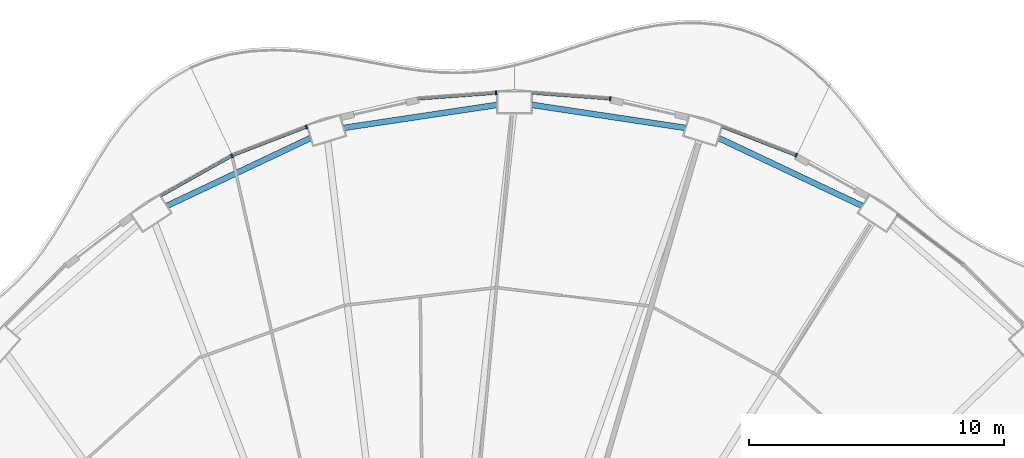
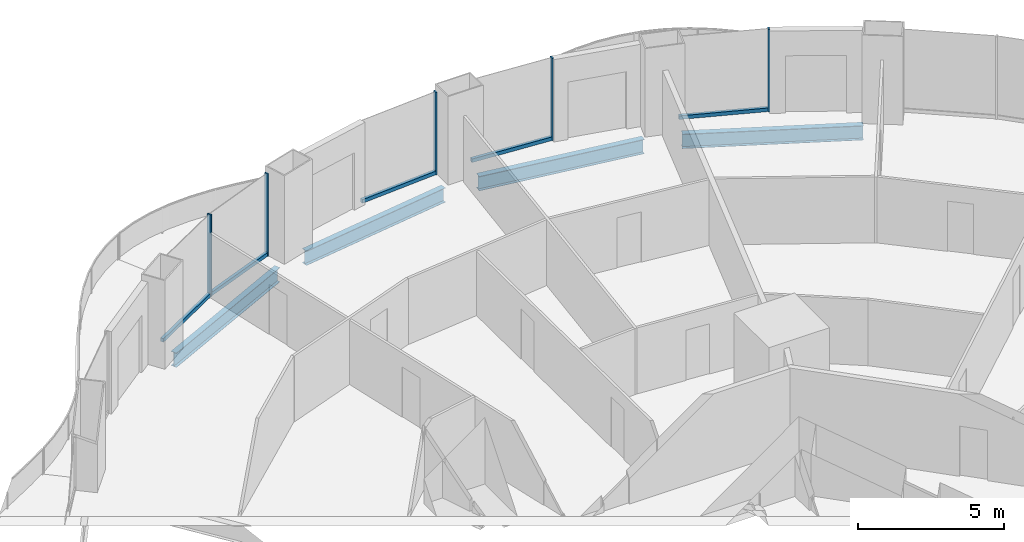
# One storey, part 11 of 22: 10 members, 4 beams, 5 elements without a shape of their own.
"""IFC4 building model written with IfcOpenShell, lengths in metres."""

from ifc_helpers import new_model, si_unit, direction, frame, origin, origin_2d, place, context, subcontext, project, spatial, rectangle, i_section, extrude, material, layer, layer_set, material_profile, profile_set, type_object, element, aggregate, save


model = new_model("IFC4")

# Units and contexts
model_context = context("Model", 3, precision=1e-05, world=origin(), true_north=direction((0.0, 1.0)))
body_context = subcontext(model_context, "Body", "Model", "MODEL_VIEW")
ifc_project = project(units=[si_unit("LENGTHUNIT", "METRE"), si_unit("AREAUNIT", "SQUARE_METRE"), si_unit("VOLUMEUNIT", "CUBIC_METRE"), si_unit("PLANEANGLEUNIT", "RADIAN"), si_unit("MASSUNIT", "GRAM", prefix="KILO")], contexts=[model_context])

# Site, building, storey
site_placement = place(None, origin())
site = spatial("IfcSite", under=ifc_project, at=site_placement, CompositionType="ELEMENT")
building_placement = place(site_placement, origin())
building = spatial("IfcBuilding", under=site, at=building_placement, Name="Nagisa Residences", CompositionType="ELEMENT")
storey_placement = place(building_placement, frame((0.0, 0.0, 30.699951171875)))
storey = spatial("IfcBuildingStorey", under=building, at=storey_placement, Name="L06", CompositionType="ELEMENT", Elevation=30.699951171875)

# Curtain wall, member
ifc_material_1 = material(Name="Concrete-coloured aluminium curtain wall system", Category="concrete")
ifc_layer = layer(ifc_material_1, 0.159912109375)
ifc_layer_set = layer_set([ifc_layer], Name="CW1 CURTAIN WALL")
curtain_wall_type = type_object("IfcCurtainWallType", Name="CW1 CURTAIN WALL", PredefinedType="NOTDEFINED", material=ifc_layer_set)
curtain_wall_1_placement = place(storey_placement, origin())
curtain_wall_1 = element("IfcCurtainWall", 1, at=curtain_wall_1_placement, inside=storey, type_object=curtain_wall_type, Name="cw:CW1:L06:09", PredefinedType="NOTDEFINED")
ifc_material_2 = material(Name="Concrete-coloured aluminium", Category="concrete")
ifc_material_profile_1 = material_profile(ifc_material_2, rectangle(XDim=0.159912109375, YDim=0.06005859375, at=origin_2d()), Name="CW1 MULLION 160x60")
ifc_profile_set_1 = profile_set([ifc_material_profile_1], Name="Concrete-coloured aluminium")
member_type_1 = type_object("IfcMemberType", Name="CW1 MULLION 160x60", PredefinedType="MULLION", material=ifc_profile_set_1)
member_1_placement = place(storey_placement, frame((14.64111328125, 30.42431640625, 0.0), z_axis=(0.0, 0.0, 1.0), x_axis=(-0.360327770268, -0.932825759707, 0.0)))
member_1 = element("IfcMember", 2, at=member_1_placement, type_object=member_type_1, Name="CW1 mullion", PredefinedType="MULLION", context=body_context, shape_type="SweptSolid", body=[
    extrude(rectangle(XDim=0.159912109375, YDim=0.06005859375, at=origin_2d()), origin(), (0.0, 0.0, 1.0), 3.43994140625),
])

curtain_wall_2_placement = place(storey_placement, origin())
curtain_wall_2 = element("IfcCurtainWall", 3, at=curtain_wall_2_placement, inside=storey, type_object=curtain_wall_type, Name="cw:CW1:L06:11", PredefinedType="NOTDEFINED")
member_2_placement = place(storey_placement, frame((7.349365234375, 32.64013671875, 0.0), z_axis=(0.0, 0.0, 1.0), x_axis=(-0.074377355493, -0.997230168512, 0.0)))
member_2 = element("IfcMember", 4, at=member_2_placement, type_object=member_type_1, Name="CW1 mullion", PredefinedType="MULLION", context=body_context, shape_type="SweptSolid", body=[
    extrude(rectangle(XDim=0.159912109375, YDim=0.06005859375, at=origin_2d()), origin(), (0.0, 0.0, 1.0), 3.43994140625),
])

curtain_wall_3_placement = place(storey_placement, origin())
curtain_wall_3 = element("IfcCurtainWall", 5, at=curtain_wall_3_placement, inside=storey, type_object=curtain_wall_type, Name="cw:CW1:L06:12", PredefinedType="NOTDEFINED")
member_3_placement = place(storey_placement, frame((2.8779296875, 32.865966796875, 0.0), z_axis=(0.0, 0.0, 1.0), x_axis=(0.074377355493, -0.997230168512, 0.0)))
member_3 = element("IfcMember", 6, at=member_3_placement, type_object=member_type_1, Name="CW1 mullion", PredefinedType="MULLION", context=body_context, shape_type="SweptSolid", body=[
    extrude(rectangle(XDim=0.159912109375, YDim=0.06005859375, at=origin_2d()), origin(), (0.0, 0.0, 1.0), 3.43994140625),
])

curtain_wall_4_placement = place(storey_placement, origin())
curtain_wall_4 = element("IfcCurtainWall", 7, at=curtain_wall_4_placement, inside=storey, type_object=curtain_wall_type, Name="cw:CW1:L06:14", PredefinedType="NOTDEFINED")
member_4_placement = place(storey_placement, frame((-4.557861328125, 31.537841796875, 0.0), z_axis=(0.0, 0.0, 1.0), x_axis=(0.360327770268, -0.932825759707, 0.0)))
member_4 = element("IfcMember", 8, at=member_4_placement, type_object=member_type_1, Name="CW1 mullion", PredefinedType="MULLION", context=body_context, shape_type="SweptSolid", body=[
    extrude(rectangle(XDim=0.159912109375, YDim=0.06005859375, at=origin_2d()), origin(), (0.0, 0.0, 1.0), 3.43994140625),
])

curtain_wall_5_placement = place(storey_placement, origin())
curtain_wall_5 = element("IfcCurtainWall", 9, at=curtain_wall_5_placement, inside=storey, type_object=curtain_wall_type, Name="cw:CW1:L06:15", PredefinedType="NOTDEFINED")
member_5_placement = place(storey_placement, frame((-7.48486328125, 30.403564453125, 0.0), z_axis=(0.0, 0.0, 1.0), x_axis=(0.489376918501, -0.872072377523, 0.0)))
member_5 = element("IfcMember", 10, at=member_5_placement, type_object=member_type_1, Name="CW1 mullion", PredefinedType="MULLION", context=body_context, shape_type="SweptSolid", body=[
    extrude(rectangle(XDim=0.159912109375, YDim=0.06005859375, at=origin_2d()), origin(), (0.0, 0.0, 1.0), 3.43994140625),
])

# Member
ifc_material_3 = material(Name="Concrete-coloured aluminium", Category="concrete")
ifc_material_profile_2 = material_profile(ifc_material_3, rectangle(XDim=0.1201171875, YDim=0.14990234375, at=origin_2d()), Name="CW1 TRANSOM 120x150")
ifc_profile_set_2 = profile_set([ifc_material_profile_2], Name="Concrete-coloured aluminium")
member_type_2 = type_object("IfcMemberType", Name="CW1 TRANSOM 120x150", PredefinedType="USERDEFINED", material=ifc_profile_set_2)
member_6_placement = place(storey_placement, frame((14.6689453125, 30.413330078125, 0.074951171875), z_axis=(-0.932825366452, 0.360328788337, 0.0), x_axis=(-0.360328788337, -0.932825366452, 0.0)))
member_6 = element("IfcMember", 11, at=member_6_placement, type_object=member_type_2, Name="CW1 transom", ObjectType="TRANSOM", PredefinedType="USERDEFINED", context=body_context, shape_type="SweptSolid", body=[
    extrude(rectangle(XDim=0.1201171875, YDim=0.14990234375, at=origin_2d()), origin(), (0.0, 0.0, 1.0), 3.150634765625),
])

aggregate(curtain_wall_1, [member_1, member_6])

member_7_placement = place(storey_placement, frame((7.37939453125, 32.637939453125, 0.074951171875), z_axis=(-0.997231270995, 0.07436257224, 0.0), x_axis=(-0.07436257224, -0.997231270995, 0.0)))
member_7 = element("IfcMember", 12, at=member_7_placement, type_object=member_type_2, Name="CW1 transom", ObjectType="TRANSOM", PredefinedType="USERDEFINED", context=body_context, shape_type="SweptSolid", body=[
    extrude(rectangle(XDim=0.1201171875, YDim=0.14990234375, at=origin_2d()), origin(), (0.0, 0.0, 1.0), 3.095947265625),
])

aggregate(curtain_wall_2, [member_2, member_7])

member_8_placement = place(storey_placement, frame((2.907958984375, 32.8681640625, 0.074951171875), z_axis=(-0.997230834878, -0.074368420505, 0.0), x_axis=(0.074368420505, -0.997230834878, 0.0)))
member_8 = element("IfcMember", 13, at=member_8_placement, type_object=member_type_2, Name="CW1 transom", ObjectType="TRANSOM", PredefinedType="USERDEFINED", context=body_context, shape_type="SweptSolid", body=[
    extrude(rectangle(XDim=0.1201171875, YDim=0.14990234375, at=origin_2d()), origin(), (0.0, 0.0, 1.0), 3.095703125),
])

aggregate(curtain_wall_3, [member_3, member_8])

member_9_placement = place(storey_placement, frame((-4.52978515625, 31.548583984375, 0.074951171875), z_axis=(-0.932835426425, -0.360302743822, 0.0), x_axis=(0.360302743822, -0.932835426425, 0.0)))
member_9 = element("IfcMember", 14, at=member_9_placement, type_object=member_type_2, Name="CW1 transom", ObjectType="TRANSOM", PredefinedType="USERDEFINED", context=body_context, shape_type="SweptSolid", body=[
    extrude(rectangle(XDim=0.1201171875, YDim=0.14990234375, at=origin_2d()), origin(), (0.0, 0.0, 1.0), 3.15087890625),
])

aggregate(curtain_wall_4, [member_4, member_9])

member_10_placement = place(storey_placement, frame((-7.458740234375, 30.418212890625, 0.074951171875), z_axis=(-0.872070011948, -0.489381133946, 0.0), x_axis=(0.489381133946, -0.872070011948, 0.0)))
member_10 = element("IfcMember", 15, at=member_10_placement, type_object=member_type_2, Name="CW1 transom", ObjectType="TRANSOM", PredefinedType="USERDEFINED", context=body_context, shape_type="SweptSolid", body=[
    extrude(rectangle(XDim=0.1201171875, YDim=0.14990234375, at=origin_2d()), origin(), (0.0, 0.0, 1.0), 3.201171875),
])

aggregate(curtain_wall_5, [member_5, member_10])

# Beams
ifc_material_4 = material(Name="Steel ASTM A572 Gr 50", Category="steel")
ifc_material_profile_3 = material_profile(ifc_material_4, i_section(OverallWidth=0.22802734375, OverallDepth=0.60302734375, WebThickness=0.010498046875, FlangeThickness=0.014892578125, at=origin_2d()), Name="W610x101")
ifc_profile_set_3 = profile_set([ifc_material_profile_3], Name="Steel ASTM A572 Gr 50")
beam_type = type_object("IfcBeamType", Name="Perimeter ring beam W610x101", PredefinedType="BEAM", material=ifc_profile_set_3)
beam_1_placement = place(storey_placement, frame((17.22900390625, 28.439208984375, -0.5615234375), z_axis=(-0.904215426643, 0.427076646774, 0.0), x_axis=(-0.427076646774, -0.904215426643, 0.0)))
element("IfcBeam", 16, at=beam_1_placement, inside=storey, type_object=beam_type, Name="beam:L06:pb05", PredefinedType="BEAM", context=body_context, shape_type="SweptSolid", body=[
    extrude(i_section(OverallWidth=0.22802734375, OverallDepth=0.60302734375, WebThickness=0.010498046875, FlangeThickness=0.014892578125, at=origin_2d()), origin(), (0.0, 0.0, 1.0), 6.2275390625),
])
for number, where, z_axis, x_axis, name in (
    (17, (10.29638671875, 31.49462890625, -0.5615234375), (-0.988914559467, 0.14848566959, 0.0), (-0.14848566959, -0.988914559467, 0.0), "beam:L06:pb06"),
    (18, (2.919677734375, 32.39794921875, -0.5615234375), (-0.988914559467, -0.14848566959, 0.0), (0.14848566959, -0.988914559467, 0.0), "beam:L06:pb07"),
):
    element("IfcBeam", number, at=place(storey_placement, frame(where, z_axis=z_axis, x_axis=x_axis)), inside=storey, type_object=beam_type, Name=name, PredefinedType="BEAM", context=body_context, shape_type="SweptSolid", body=[
        extrude(i_section(OverallWidth=0.22802734375, OverallDepth=0.60302734375, WebThickness=0.010498046875, FlangeThickness=0.014892578125, at=origin_2d()), origin(), (0.0, 0.0, 1.0), 6.08349609375),
    ])
beam_2_placement = place(storey_placement, frame((-4.39794921875, 31.098876953125, -0.5615234375), z_axis=(-0.904208275867, -0.427091786216, 0.0), x_axis=(0.427091786216, -0.904208275867, 0.0)))
element("IfcBeam", 19, at=beam_2_placement, inside=storey, type_object=beam_type, Name="beam:L06:pb08", PredefinedType="BEAM", context=body_context, shape_type="SweptSolid", body=[
    extrude(i_section(OverallWidth=0.22802734375, OverallDepth=0.60302734375, WebThickness=0.010498046875, FlangeThickness=0.014892578125, at=origin_2d()), origin(), (0.0, 0.0, 1.0), 6.227294921875),
])

save(model, "model.ifc")
